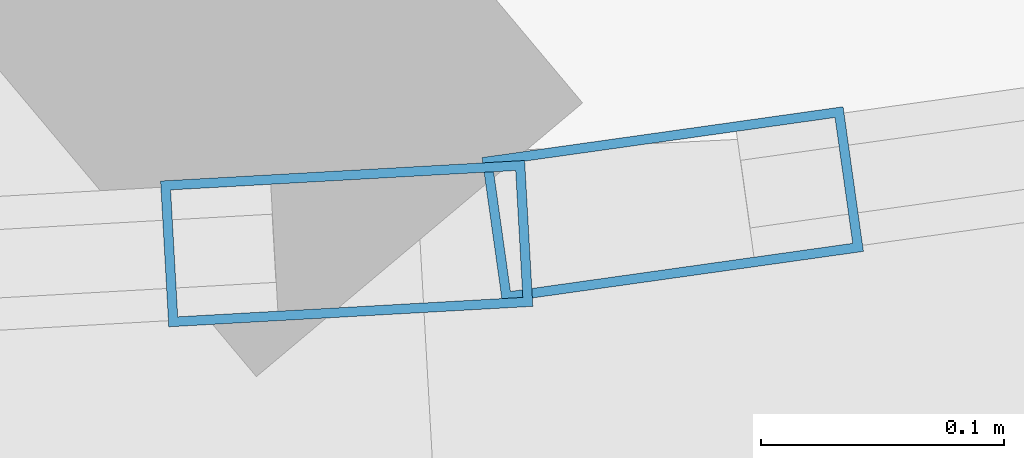
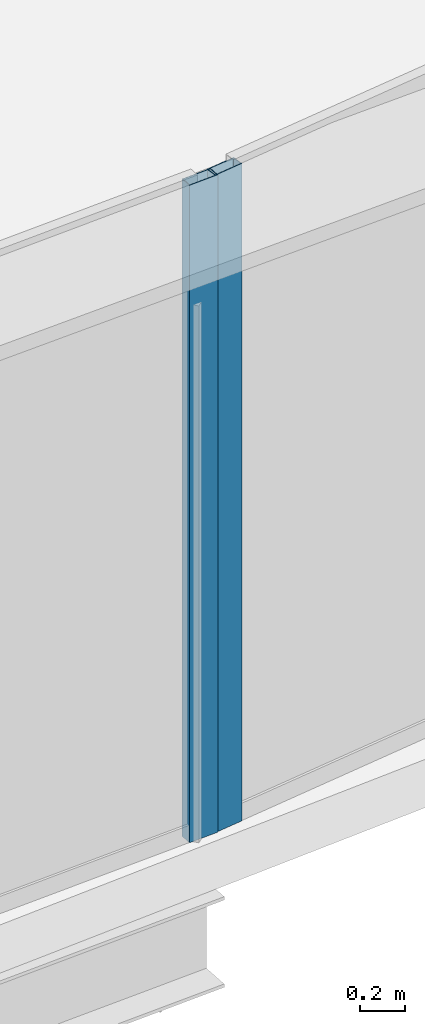
# One storey, part 14 of 40: 2 members, 2 elements without a shape of their own.
"""IFC4 building model written with IfcOpenShell, lengths in metres."""

from ifc_helpers import new_model, si_unit, direction, frame, origin, origin_2d, place, context, subcontext, project, spatial, hollow_rectangle, extrude, source, transform, mapped, material, layer, layer_set, material_profile, profile_set, type_object, element, aggregate, save


model = new_model("IFC4")

# Units and contexts
model_context = context("Model", 3, precision=1e-05, world=origin(), true_north=direction((0.0, 1.0)))
body_context = subcontext(model_context, "Body", "Model", "MODEL_VIEW")
ifc_project = project(units=[si_unit("LENGTHUNIT", "METRE"), si_unit("AREAUNIT", "SQUARE_METRE"), si_unit("VOLUMEUNIT", "CUBIC_METRE"), si_unit("PLANEANGLEUNIT", "RADIAN"), si_unit("MASSUNIT", "GRAM", prefix="KILO"), si_unit("THERMODYNAMICTEMPERATUREUNIT", "KELVIN"), si_unit("POWERUNIT", "WATT")], contexts=[model_context])

# Site, building, storey
site_placement = place(None, origin())
site = spatial("IfcSite", under=ifc_project, at=site_placement, CompositionType="ELEMENT")
building_placement = place(site_placement, origin())
building = spatial("IfcBuilding", under=site, at=building_placement, Name="Yunzhuo Pagoda Commons", CompositionType="ELEMENT")
storey_placement = place(building_placement, frame((0.0, 0.0, 180.9599609375)))
storey = spatial("IfcBuildingStorey", under=building, at=storey_placement, Name="L45", CompositionType="ELEMENT", Elevation=180.9599609375)

# Curtain wall, member
ifc_material = material(Name="Anodized aluminium 6063-T6", Category="aluminium")
ifc_layer = layer(ifc_material, 0.14990234375)
ifc_layer_set = layer_set([ifc_layer], Name="Anodized aluminium 6063-T6")
curtain_wall_type = type_object("IfcCurtainWallType", Name="CW-MID Mid-Zone Ribbon Curtain Wall", PredefinedType="NOTDEFINED", material=ifc_layer_set)
curtain_wall_1_placement = place(storey_placement, origin())
curtain_wall_1 = element("IfcCurtainWall", 1, at=curtain_wall_1_placement, inside=storey, type_object=curtain_wall_type, Name="L45 curtain wall CW-L45-F1B4", PredefinedType="NOTDEFINED")
ifc_material_profile = material_profile(ifc_material, hollow_rectangle(XDim=0.06005859375, YDim=0.14990234375, WallThickness=0.00390625, at=origin_2d()), Name="Anodized aluminium 6063-T6")
ifc_profile_set = profile_set([ifc_material_profile], Name="Anodized aluminium 6063-T6")
member_type = type_object("IfcMemberType", Name="CW-MID-M Mullion RHS 150x60x4", PredefinedType="MULLION", material=ifc_profile_set)
shared_shape = source(origin(), body_context, "Body", "SweptSolid", [
    extrude(hollow_rectangle(XDim=0.06005859375, YDim=0.14990234375, WallThickness=0.00390625, at=origin_2d()), origin(), (0.0, 0.0, 1.0), 3.5400390625),
])
member_1_placement = place(storey_placement, frame((64.017333984375, 14.573974609375, 0.0), z_axis=(0.0, 0.0, 1.0), x_axis=(-0.056142665584, 0.998422756702, 0.0)))
member_1 = element("IfcMember", 2, at=member_1_placement, type_object=member_type, Name="CW mullion 2", PredefinedType="MULLION", context=body_context, shape_type="MappedRepresentation", body=[
    mapped(shared_shape, transform((0.0, 0.0, 0.0), scale=1.0)),
])
aggregate(curtain_wall_1, [member_1])

curtain_wall_2_placement = place(storey_placement, origin())
curtain_wall_2 = element("IfcCurtainWall", 3, at=curtain_wall_2_placement, inside=storey, type_object=curtain_wall_type, Name="L45 curtain wall CW-L45-F1B5", PredefinedType="NOTDEFINED")
member_2_placement = place(storey_placement, frame((64.1513671875, 14.590087890625, 0.0), z_axis=(0.0, 0.0, 1.0), x_axis=(-0.139233100351, 0.990259634524, 0.0)))
member_2 = element("IfcMember", 4, at=member_2_placement, type_object=member_type, Name="CW mullion 1", PredefinedType="MULLION", context=body_context, shape_type="MappedRepresentation", body=[
    mapped(shared_shape, transform((0.0, 0.0, 0.0), scale=1.0)),
])
aggregate(curtain_wall_2, [member_2])

save(model, "model.ifc")
